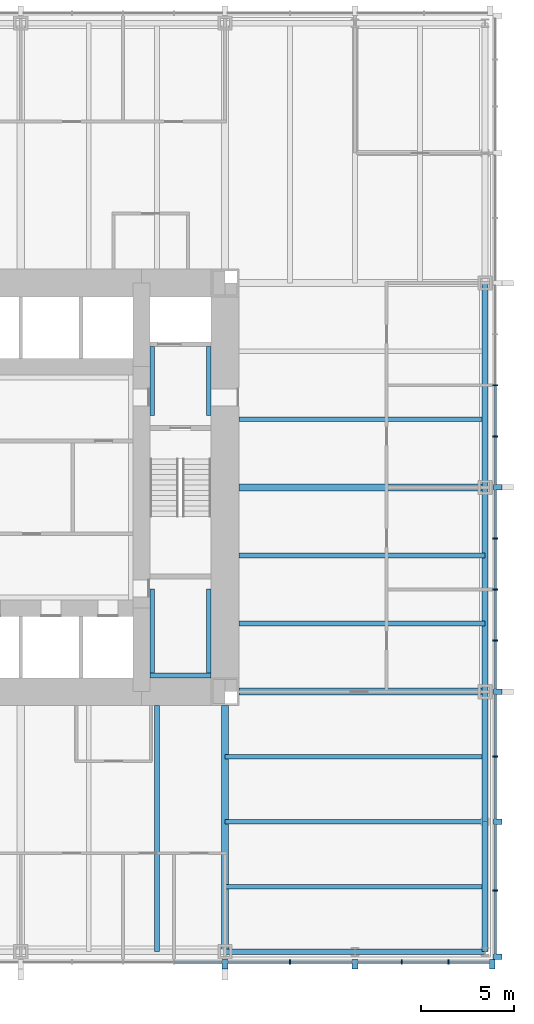
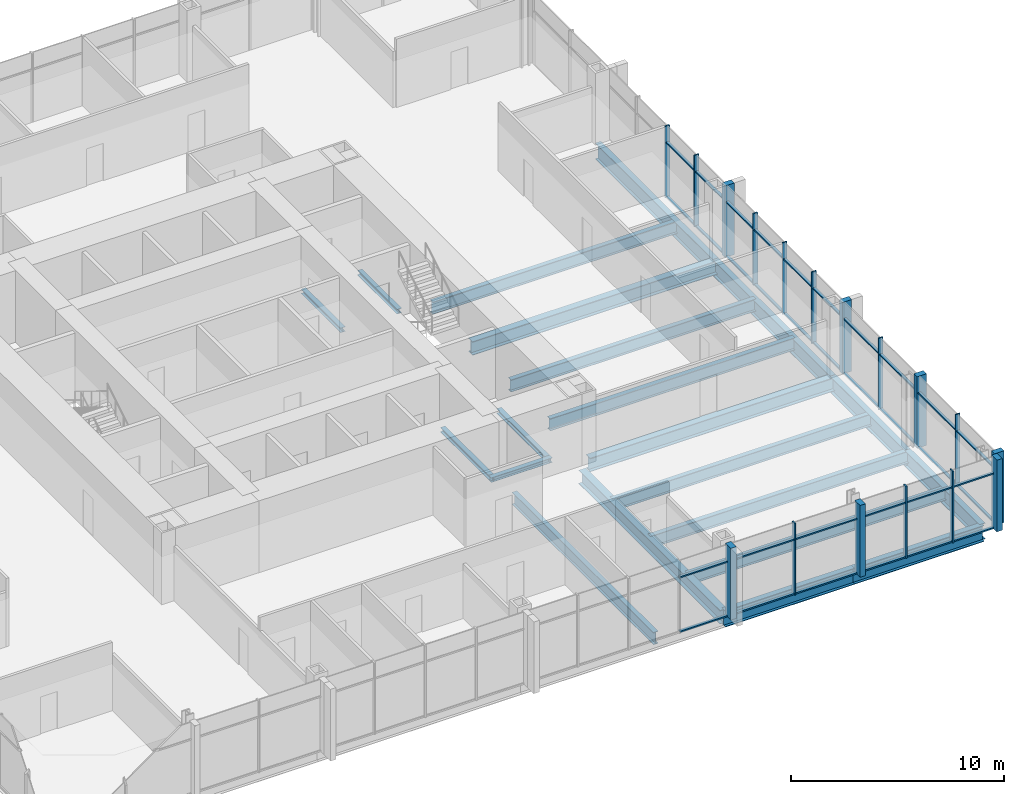
# One storey, part 4 of 12: 49 members, 21 beams, 2 elements without a shape of their own.
"""IFC4 building model written with IfcOpenShell, lengths in metres."""

from ifc_helpers import new_model, si_unit, direction, frame, origin, origin_2d, place, context, subcontext, project, spatial, rectangle, i_section, extrude, material, material_profile, profile_set, type_object, element, aggregate, save


model = new_model("IFC4")

# Units and contexts
model_context = context("Model", 3, precision=1e-05, world=origin(), true_north=direction((0.0, 1.0)))
body_context = subcontext(model_context, "Body", "Model", "MODEL_VIEW")
ifc_project = project(units=[si_unit("LENGTHUNIT", "METRE"), si_unit("AREAUNIT", "SQUARE_METRE"), si_unit("VOLUMEUNIT", "CUBIC_METRE"), si_unit("PLANEANGLEUNIT", "RADIAN"), si_unit("MASSUNIT", "GRAM", prefix="KILO")], contexts=[model_context])

# Site, building, storey
site_placement = place(None, origin())
site = spatial("IfcSite", under=ifc_project, at=site_placement, CompositionType="ELEMENT")
building_placement = place(site_placement, origin())
building = spatial("IfcBuilding", under=site, at=building_placement, Name="Trevanion Tower", CompositionType="ELEMENT")
storey_placement = place(building_placement, frame((0.0, 0.0, 73.39990234375)))
storey = spatial("IfcBuildingStorey", under=building, at=storey_placement, Name="L17", CompositionType="ELEMENT", Elevation=73.39990234375)

# Beams
ifc_material_1 = material(Name="Steel ASTM A992 Grade 50", Category="steel")
ifc_material_profile_1 = material_profile(ifc_material_1, i_section(OverallWidth=0.25390625, OverallDepth=0.700927734375, WebThickness=0.015380859375, FlangeThickness=0.02783203125, at=origin_2d()), Name="W27X129")
ifc_profile_set_1 = profile_set([ifc_material_profile_1], Name="Steel ASTM A992 Grade 50")
beam_type_1 = type_object("IfcBeamType", Name="B3 W27X129", PredefinedType="BEAM", material=ifc_profile_set_1)
for number, where, z_axis, x_axis, name in (
    (1, (11.75, -7.333251953125, -0.540283203125), (1.0, 0.0, 0.0), (0.0, 1.0, 0.0), "B3 L17"),
    (2, (11.75, -3.666748046875, -0.540283203125), (1.0, 0.0, 0.0), (0.0, 1.0, 0.0), "B3 L17"),
    (3, (11.75, 3.666748046875, -0.540283203125), (1.0, 0.0, 0.0), (0.0, 1.0, 0.0), "B3 L17"),
    (4, (7.333251953125, -11.75, -0.540283203125), (0.0, -1.0, 0.0), (1.0, 0.0, 0.0), "B3 L17"),
):
    element("IfcBeam", number, at=place(storey_placement, frame(where, z_axis=z_axis, x_axis=x_axis)), inside=storey, type_object=beam_type_1, Name=name, PredefinedType="BEAM", context=body_context, shape_type="SweptSolid", body=[
        extrude(i_section(OverallWidth=0.25390625, OverallDepth=0.700927734375, WebThickness=0.015380859375, FlangeThickness=0.02783203125, at=origin_2d()), origin(), (0.0, 0.0, 1.0), 13.25),
    ])
ifc_material_2 = material(Name="Steel ASTM A992 Grade 50", Category="steel")
ifc_material_profile_2 = material_profile(ifc_material_2, i_section(OverallWidth=0.256591796875, OverallDepth=0.693359375, WebThickness=0.014404296875, FlangeThickness=0.023681640625, at=origin_2d()), Name="W27X114")
ifc_profile_set_2 = profile_set([ifc_material_profile_2], Name="Steel ASTM A992 Grade 50")
beam_type_2 = type_object("IfcBeamType", Name="B4 W27X114", PredefinedType="BEAM", material=ifc_profile_set_2)
for number, where, z_axis, x_axis, name in (
    (5, (11.0, -14.5, -0.53662109375), (1.0, 0.0, 0.0), (0.0, 1.0, 0.0), "B4 L17"),
    (6, (11.0, -18.0, -0.53662109375), (1.0, 0.0, 0.0), (0.0, 1.0, 0.0), "B4 L17"),
    (7, (11.0, -21.5, -0.53662109375), (1.0, 0.0, 0.0), (0.0, 1.0, 0.0), "B4 L17"),
):
    element("IfcBeam", number, at=place(storey_placement, frame(where, z_axis=z_axis, x_axis=x_axis)), inside=storey, type_object=beam_type_2, Name=name, PredefinedType="BEAM", context=body_context, shape_type="SweptSolid", body=[
        extrude(i_section(OverallWidth=0.256591796875, OverallDepth=0.693359375, WebThickness=0.014404296875, FlangeThickness=0.023681640625, at=origin_2d()), origin(), (0.0, 0.0, 1.0), 14.0),
    ])

# Curtain wall, members
ifc_material_3 = material(Name="Aluminium and glass", Category="aluminium")
curtain_wall_type = type_object("IfcCurtainWallType", Name="CW1 curtain wall", PredefinedType="USERDEFINED", material=ifc_material_3)
curtain_wall_1_placement = place(storey_placement, origin())
curtain_wall_1 = element("IfcCurtainWall", 8, at=curtain_wall_1_placement, inside=storey, type_object=curtain_wall_type, Name="CW1 L17 0", ObjectType="UNITISED CURTAIN WALL", PredefinedType="USERDEFINED")
ifc_material_4 = material(Name="Aluminium extrusion, anodised bronze", Category="aluminium")
ifc_material_profile_3 = material_profile(ifc_material_4, rectangle(XDim=0.074951171875, YDim=0.25, at=origin_2d()), Name="CW1 mullion")
ifc_profile_set_3 = profile_set([ifc_material_profile_3], Name="Aluminium extrusion, anodised bronze")
member_type_1 = type_object("IfcMemberType", Name="CW1 mullion", PredefinedType="MULLION", material=ifc_profile_set_3)
member_1_placement = place(storey_placement, frame((25.550048828125, -21.7099609375, -0.18994140625), z_axis=(0.0, 0.0, 1.0), x_axis=(0.0, 1.0, 0.0)))
member_1 = element("IfcMember", 9, at=member_1_placement, type_object=member_type_1, Name="CW1 mullion 2", PredefinedType="MULLION", context=body_context, shape_type="SweptSolid", body=[
    extrude(rectangle(XDim=0.074951171875, YDim=0.25, at=origin_2d()), origin(), (0.0, 0.0, 1.0), 4.10009765625),
])
member_2_placement = place(storey_placement, frame((25.550048828125, -14.5, -0.18994140625), z_axis=(0.0, 0.0, 1.0), x_axis=(0.0, 1.0, 0.0)))
member_2 = element("IfcMember", 10, at=member_2_placement, type_object=member_type_1, Name="CW1 mullion 4", PredefinedType="MULLION", context=body_context, shape_type="SweptSolid", body=[
    extrude(rectangle(XDim=0.074951171875, YDim=0.25, at=origin_2d()), origin(), (0.0, 0.0, 1.0), 4.10009765625),
])
member_3_placement = place(storey_placement, frame((25.550048828125, -8.25, -0.18994140625), z_axis=(0.0, 0.0, 1.0), x_axis=(0.0, 1.0, 0.0)))
member_3 = element("IfcMember", 11, at=member_3_placement, type_object=member_type_1, Name="CW1 mullion 6", PredefinedType="MULLION", context=body_context, shape_type="SweptSolid", body=[
    extrude(rectangle(XDim=0.074951171875, YDim=0.25, at=origin_2d()), origin(), (0.0, 0.0, 1.0), 4.10009765625),
])
member_4_placement = place(storey_placement, frame((25.550048828125, -5.5, -0.18994140625), z_axis=(0.0, 0.0, 1.0), x_axis=(0.0, 1.0, 0.0)))
member_4 = element("IfcMember", 12, at=member_4_placement, type_object=member_type_1, Name="CW1 mullion 7", PredefinedType="MULLION", context=body_context, shape_type="SweptSolid", body=[
    extrude(rectangle(XDim=0.074951171875, YDim=0.25, at=origin_2d()), origin(), (0.0, 0.0, 1.0), 4.10009765625),
])
member_5_placement = place(storey_placement, frame((25.550048828125, -2.75, -0.18994140625), z_axis=(0.0, 0.0, 1.0), x_axis=(0.0, 1.0, 0.0)))
member_5 = element("IfcMember", 13, at=member_5_placement, type_object=member_type_1, Name="CW1 mullion 8", PredefinedType="MULLION", context=body_context, shape_type="SweptSolid", body=[
    extrude(rectangle(XDim=0.074951171875, YDim=0.25, at=origin_2d()), origin(), (0.0, 0.0, 1.0), 4.10009765625),
])
member_6_placement = place(storey_placement, frame((25.550048828125, 2.75, -0.18994140625), z_axis=(0.0, 0.0, 1.0), x_axis=(0.0, 1.0, 0.0)))
member_6 = element("IfcMember", 14, at=member_6_placement, type_object=member_type_1, Name="CW1 mullion 10", PredefinedType="MULLION", context=body_context, shape_type="SweptSolid", body=[
    extrude(rectangle(XDim=0.074951171875, YDim=0.25, at=origin_2d()), origin(), (0.0, 0.0, 1.0), 4.10009765625),
])
member_7_placement = place(storey_placement, frame((25.550048828125, 5.5, -0.18994140625), z_axis=(0.0, 0.0, 1.0), x_axis=(0.0, 1.0, 0.0)))
member_7 = element("IfcMember", 15, at=member_7_placement, type_object=member_type_1, Name="CW1 mullion 11", PredefinedType="MULLION", context=body_context, shape_type="SweptSolid", body=[
    extrude(rectangle(XDim=0.074951171875, YDim=0.25, at=origin_2d()), origin(), (0.0, 0.0, 1.0), 4.10009765625),
])

curtain_wall_2_placement = place(storey_placement, origin())
curtain_wall_2 = element("IfcCurtainWall", 16, at=curtain_wall_2_placement, inside=storey, type_object=curtain_wall_type, Name="CW1 L17 3", ObjectType="UNITISED CURTAIN WALL", PredefinedType="USERDEFINED")
member_8_placement = place(storey_placement, frame((14.5, -25.550048828125, -0.18994140625), z_axis=(0.0, 0.0, 1.0), x_axis=(1.0, 0.0, 0.0)))
member_8 = element("IfcMember", 17, at=member_8_placement, type_object=member_type_1, Name="CW1 mullion 14", PredefinedType="MULLION", context=body_context, shape_type="SweptSolid", body=[
    extrude(rectangle(XDim=0.074951171875, YDim=0.25, at=origin_2d()), origin(), (0.0, 0.0, 1.0), 4.10009765625),
])
member_9_placement = place(storey_placement, frame((20.5166015625, -25.550048828125, -0.18994140625), z_axis=(0.0, 0.0, 1.0), x_axis=(1.0, 0.0, 0.0)))
member_9 = element("IfcMember", 18, at=member_9_placement, type_object=member_type_1, Name="CW1 mullion 16", PredefinedType="MULLION", context=body_context, shape_type="SweptSolid", body=[
    extrude(rectangle(XDim=0.074951171875, YDim=0.25, at=origin_2d()), origin(), (0.0, 0.0, 1.0), 4.10009765625),
])
member_10_placement = place(storey_placement, frame((23.033203125, -25.550048828125, -0.18994140625), z_axis=(0.0, 0.0, 1.0), x_axis=(1.0, 0.0, 0.0)))
member_10 = element("IfcMember", 19, at=member_10_placement, type_object=member_type_1, Name="CW1 mullion 17", PredefinedType="MULLION", context=body_context, shape_type="SweptSolid", body=[
    extrude(rectangle(XDim=0.074951171875, YDim=0.25, at=origin_2d()), origin(), (0.0, 0.0, 1.0), 4.10009765625),
])

# Member
ifc_material_5 = material(Name="Aluminium extrusion, anodised bronze", Category="aluminium")
ifc_material_profile_4 = material_profile(ifc_material_5, rectangle(XDim=0.300048828125, YDim=0.5, at=origin_2d()), Name="CW1 pier mullion")
ifc_profile_set_4 = profile_set([ifc_material_profile_4], Name="Aluminium extrusion, anodised bronze")
member_type_2 = type_object("IfcMemberType", Name="CW1 pier mullion", PredefinedType="MULLION", material=ifc_profile_set_4)
member_11_placement = place(storey_placement, frame((25.675048828125, -25.27001953125, -0.18994140625), z_axis=(0.0, 0.0, 1.0), x_axis=(0.0, 1.0, 0.0)))
member_11 = element("IfcMember", 20, at=member_11_placement, type_object=member_type_2, Name="CW1 pier mullion 1", PredefinedType="MULLION", context=body_context, shape_type="SweptSolid", body=[
    extrude(rectangle(XDim=0.300048828125, YDim=0.5, at=origin_2d()), origin(), (0.0, 0.0, 1.0), 4.10009765625),
])

member_12_placement = place(storey_placement, frame((25.675048828125, -18.0, -0.18994140625), z_axis=(0.0, 0.0, 1.0), x_axis=(0.0, 1.0, 0.0)))
member_12 = element("IfcMember", 21, at=member_12_placement, type_object=member_type_2, Name="CW1 pier mullion 3", PredefinedType="MULLION", context=body_context, shape_type="SweptSolid", body=[
    extrude(rectangle(XDim=0.300048828125, YDim=0.5, at=origin_2d()), origin(), (0.0, 0.0, 1.0), 4.10009765625),
])

member_13_placement = place(storey_placement, frame((25.675048828125, -11.0, -0.18994140625), z_axis=(0.0, 0.0, 1.0), x_axis=(0.0, 1.0, 0.0)))
member_13 = element("IfcMember", 22, at=member_13_placement, type_object=member_type_2, Name="CW1 pier mullion 5", PredefinedType="MULLION", context=body_context, shape_type="SweptSolid", body=[
    extrude(rectangle(XDim=0.300048828125, YDim=0.5, at=origin_2d()), origin(), (0.0, 0.0, 1.0), 4.10009765625),
])

member_14_placement = place(storey_placement, frame((25.675048828125, 0.0, -0.18994140625), z_axis=(0.0, 0.0, 1.0), x_axis=(0.0, 1.0, 0.0)))
member_14 = element("IfcMember", 23, at=member_14_placement, type_object=member_type_2, Name="CW1 pier mullion 9", PredefinedType="MULLION", context=body_context, shape_type="SweptSolid", body=[
    extrude(rectangle(XDim=0.300048828125, YDim=0.5, at=origin_2d()), origin(), (0.0, 0.0, 1.0), 4.10009765625),
])

member_15_placement = place(storey_placement, frame((11.0, -25.675048828125, -0.18994140625), z_axis=(0.0, 0.0, 1.0), x_axis=(1.0, 0.0, 0.0)))
member_15 = element("IfcMember", 24, at=member_15_placement, type_object=member_type_2, Name="CW1 pier mullion 13", PredefinedType="MULLION", context=body_context, shape_type="SweptSolid", body=[
    extrude(rectangle(XDim=0.300048828125, YDim=0.5, at=origin_2d()), origin(), (0.0, 0.0, 1.0), 4.10009765625),
])

member_16_placement = place(storey_placement, frame((18.0, -25.675048828125, -0.18994140625), z_axis=(0.0, 0.0, 1.0), x_axis=(1.0, 0.0, 0.0)))
member_16 = element("IfcMember", 25, at=member_16_placement, type_object=member_type_2, Name="CW1 pier mullion 15", PredefinedType="MULLION", context=body_context, shape_type="SweptSolid", body=[
    extrude(rectangle(XDim=0.300048828125, YDim=0.5, at=origin_2d()), origin(), (0.0, 0.0, 1.0), 4.10009765625),
])

member_17_placement = place(storey_placement, frame((25.39990234375, -25.675048828125, -0.18994140625), z_axis=(0.0, 0.0, 1.0), x_axis=(1.0, 0.0, 0.0)))
member_17 = element("IfcMember", 26, at=member_17_placement, type_object=member_type_2, Name="CW1 pier mullion 18", PredefinedType="MULLION", context=body_context, shape_type="SweptSolid", body=[
    extrude(rectangle(XDim=0.300048828125, YDim=0.5, at=origin_2d()), origin(), (0.0, 0.0, 1.0), 4.10009765625),
])

ifc_material_6 = material(Name="Aluminium extrusion, anodised bronze", Category="aluminium")
ifc_material_profile_5 = material_profile(ifc_material_6, rectangle(XDim=0.14990234375, YDim=0.074951171875, at=origin_2d()), Name="CW1 transom")
ifc_profile_set_5 = profile_set([ifc_material_profile_5], Name="Aluminium extrusion, anodised bronze")
member_type_3 = type_object("IfcMemberType", Name="CW1 transom", PredefinedType="USERDEFINED", material=ifc_profile_set_5)
member_18_placement = place(storey_placement, frame((25.550048828125, -25.1201171875, -0.15234375), z_axis=(0.0, 1.0, 0.0), x_axis=(-1.0, 0.0, 0.0)))
member_18 = element("IfcMember", 27, at=member_18_placement, type_object=member_type_3, Name="CW1 transom 1.1", ObjectType="TRANSOM", PredefinedType="USERDEFINED", context=body_context, shape_type="SweptSolid", body=[
    extrude(rectangle(XDim=0.14990234375, YDim=0.074951171875, at=origin_2d()), origin(), (0.0, 0.0, 1.0), 3.37255859375),
])

member_19_placement = place(storey_placement, frame((25.550048828125, -25.1201171875, 2.960205078125), z_axis=(0.0, 1.0, 0.0), x_axis=(-1.0, 0.0, 0.0)))
member_19 = element("IfcMember", 28, at=member_19_placement, type_object=member_type_3, Name="CW1 transom 1.2", ObjectType="TRANSOM", PredefinedType="USERDEFINED", context=body_context, shape_type="SweptSolid", body=[
    extrude(rectangle(XDim=0.14990234375, YDim=0.074951171875, at=origin_2d()), origin(), (0.0, 0.0, 1.0), 3.37255859375),
])

member_20_placement = place(storey_placement, frame((25.550048828125, -21.672607421875, -0.15234375), z_axis=(0.0, 1.0, 0.0), x_axis=(-1.0, 0.0, 0.0)))
member_20 = element("IfcMember", 29, at=member_20_placement, type_object=member_type_3, Name="CW1 transom 2.1", ObjectType="TRANSOM", PredefinedType="USERDEFINED", context=body_context, shape_type="SweptSolid", body=[
    extrude(rectangle(XDim=0.14990234375, YDim=0.074951171875, at=origin_2d()), origin(), (0.0, 0.0, 1.0), 3.522705078125),
])

member_21_placement = place(storey_placement, frame((25.550048828125, -21.672607421875, 2.960205078125), z_axis=(0.0, 1.0, 0.0), x_axis=(-1.0, 0.0, 0.0)))
member_21 = element("IfcMember", 30, at=member_21_placement, type_object=member_type_3, Name="CW1 transom 2.2", ObjectType="TRANSOM", PredefinedType="USERDEFINED", context=body_context, shape_type="SweptSolid", body=[
    extrude(rectangle(XDim=0.14990234375, YDim=0.074951171875, at=origin_2d()), origin(), (0.0, 0.0, 1.0), 3.522705078125),
])

member_22_placement = place(storey_placement, frame((25.550048828125, -17.85009765625, -0.15234375), z_axis=(0.0, 1.0, 0.0), x_axis=(-1.0, 0.0, 0.0)))
member_22 = element("IfcMember", 31, at=member_22_placement, type_object=member_type_3, Name="CW1 transom 3.1", ObjectType="TRANSOM", PredefinedType="USERDEFINED", context=body_context, shape_type="SweptSolid", body=[
    extrude(rectangle(XDim=0.14990234375, YDim=0.074951171875, at=origin_2d()), origin(), (0.0, 0.0, 1.0), 3.3125),
])

member_23_placement = place(storey_placement, frame((25.550048828125, -17.85009765625, 2.960205078125), z_axis=(0.0, 1.0, 0.0), x_axis=(-1.0, 0.0, 0.0)))
member_23 = element("IfcMember", 32, at=member_23_placement, type_object=member_type_3, Name="CW1 transom 3.2", ObjectType="TRANSOM", PredefinedType="USERDEFINED", context=body_context, shape_type="SweptSolid", body=[
    extrude(rectangle(XDim=0.14990234375, YDim=0.074951171875, at=origin_2d()), origin(), (0.0, 0.0, 1.0), 3.3125),
])

member_24_placement = place(storey_placement, frame((25.550048828125, -14.46240234375, -0.15234375), z_axis=(0.0, 1.0, 0.0), x_axis=(-1.0, 0.0, 0.0)))
member_24 = element("IfcMember", 33, at=member_24_placement, type_object=member_type_3, Name="CW1 transom 4.1", ObjectType="TRANSOM", PredefinedType="USERDEFINED", context=body_context, shape_type="SweptSolid", body=[
    extrude(rectangle(XDim=0.14990234375, YDim=0.074951171875, at=origin_2d()), origin(), (0.0, 0.0, 1.0), 3.3125),
])

member_25_placement = place(storey_placement, frame((25.550048828125, -14.46240234375, 2.960205078125), z_axis=(0.0, 1.0, 0.0), x_axis=(-1.0, 0.0, 0.0)))
member_25 = element("IfcMember", 34, at=member_25_placement, type_object=member_type_3, Name="CW1 transom 4.2", ObjectType="TRANSOM", PredefinedType="USERDEFINED", context=body_context, shape_type="SweptSolid", body=[
    extrude(rectangle(XDim=0.14990234375, YDim=0.074951171875, at=origin_2d()), origin(), (0.0, 0.0, 1.0), 3.3125),
])

member_26_placement = place(storey_placement, frame((25.550048828125, -10.85009765625, -0.15234375), z_axis=(0.0, 1.0, 0.0), x_axis=(-1.0, 0.0, 0.0)))
member_26 = element("IfcMember", 35, at=member_26_placement, type_object=member_type_3, Name="CW1 transom 5.1", ObjectType="TRANSOM", PredefinedType="USERDEFINED", context=body_context, shape_type="SweptSolid", body=[
    extrude(rectangle(XDim=0.14990234375, YDim=0.074951171875, at=origin_2d()), origin(), (0.0, 0.0, 1.0), 2.5625),
])

member_27_placement = place(storey_placement, frame((25.550048828125, -10.85009765625, 2.960205078125), z_axis=(0.0, 1.0, 0.0), x_axis=(-1.0, 0.0, 0.0)))
member_27 = element("IfcMember", 36, at=member_27_placement, type_object=member_type_3, Name="CW1 transom 5.2", ObjectType="TRANSOM", PredefinedType="USERDEFINED", context=body_context, shape_type="SweptSolid", body=[
    extrude(rectangle(XDim=0.14990234375, YDim=0.074951171875, at=origin_2d()), origin(), (0.0, 0.0, 1.0), 2.5625),
])

member_28_placement = place(storey_placement, frame((25.550048828125, -8.21240234375, -0.15234375), z_axis=(0.0, 1.0, 0.0), x_axis=(-1.0, 0.0, 0.0)))
member_28 = element("IfcMember", 37, at=member_28_placement, type_object=member_type_3, Name="CW1 transom 6.1", ObjectType="TRANSOM", PredefinedType="USERDEFINED", context=body_context, shape_type="SweptSolid", body=[
    extrude(rectangle(XDim=0.14990234375, YDim=0.074951171875, at=origin_2d()), origin(), (0.0, 0.0, 1.0), 2.6748046875),
])

member_29_placement = place(storey_placement, frame((25.550048828125, -8.21240234375, 2.960205078125), z_axis=(0.0, 1.0, 0.0), x_axis=(-1.0, 0.0, 0.0)))
member_29 = element("IfcMember", 38, at=member_29_placement, type_object=member_type_3, Name="CW1 transom 6.2", ObjectType="TRANSOM", PredefinedType="USERDEFINED", context=body_context, shape_type="SweptSolid", body=[
    extrude(rectangle(XDim=0.14990234375, YDim=0.074951171875, at=origin_2d()), origin(), (0.0, 0.0, 1.0), 2.6748046875),
])

member_30_placement = place(storey_placement, frame((25.550048828125, -5.46240234375, -0.15234375), z_axis=(0.0, 1.0, 0.0), x_axis=(-1.0, 0.0, 0.0)))
member_30 = element("IfcMember", 39, at=member_30_placement, type_object=member_type_3, Name="CW1 transom 7.1", ObjectType="TRANSOM", PredefinedType="USERDEFINED", context=body_context, shape_type="SweptSolid", body=[
    extrude(rectangle(XDim=0.14990234375, YDim=0.074951171875, at=origin_2d()), origin(), (0.0, 0.0, 1.0), 2.6748046875),
])

member_31_placement = place(storey_placement, frame((25.550048828125, -5.46240234375, 2.960205078125), z_axis=(0.0, 1.0, 0.0), x_axis=(-1.0, 0.0, 0.0)))
member_31 = element("IfcMember", 40, at=member_31_placement, type_object=member_type_3, Name="CW1 transom 7.2", ObjectType="TRANSOM", PredefinedType="USERDEFINED", context=body_context, shape_type="SweptSolid", body=[
    extrude(rectangle(XDim=0.14990234375, YDim=0.074951171875, at=origin_2d()), origin(), (0.0, 0.0, 1.0), 2.6748046875),
])

member_32_placement = place(storey_placement, frame((25.550048828125, -2.71240234375, -0.15234375), z_axis=(0.0, 1.0, 0.0), x_axis=(-1.0, 0.0, 0.0)))
member_32 = element("IfcMember", 41, at=member_32_placement, type_object=member_type_3, Name="CW1 transom 8.1", ObjectType="TRANSOM", PredefinedType="USERDEFINED", context=body_context, shape_type="SweptSolid", body=[
    extrude(rectangle(XDim=0.14990234375, YDim=0.074951171875, at=origin_2d()), origin(), (0.0, 0.0, 1.0), 2.5625),
])

member_33_placement = place(storey_placement, frame((25.550048828125, -2.71240234375, 2.960205078125), z_axis=(0.0, 1.0, 0.0), x_axis=(-1.0, 0.0, 0.0)))
member_33 = element("IfcMember", 42, at=member_33_placement, type_object=member_type_3, Name="CW1 transom 8.2", ObjectType="TRANSOM", PredefinedType="USERDEFINED", context=body_context, shape_type="SweptSolid", body=[
    extrude(rectangle(XDim=0.14990234375, YDim=0.074951171875, at=origin_2d()), origin(), (0.0, 0.0, 1.0), 2.5625),
])

member_34_placement = place(storey_placement, frame((25.550048828125, 0.14990234375, -0.15234375), z_axis=(0.0, 1.0, 0.0), x_axis=(-1.0, 0.0, 0.0)))
member_34 = element("IfcMember", 43, at=member_34_placement, type_object=member_type_3, Name="CW1 transom 9.1", ObjectType="TRANSOM", PredefinedType="USERDEFINED", context=body_context, shape_type="SweptSolid", body=[
    extrude(rectangle(XDim=0.14990234375, YDim=0.074951171875, at=origin_2d()), origin(), (0.0, 0.0, 1.0), 2.5625),
])

member_35_placement = place(storey_placement, frame((25.550048828125, 0.14990234375, 2.960205078125), z_axis=(0.0, 1.0, 0.0), x_axis=(-1.0, 0.0, 0.0)))
member_35 = element("IfcMember", 44, at=member_35_placement, type_object=member_type_3, Name="CW1 transom 9.2", ObjectType="TRANSOM", PredefinedType="USERDEFINED", context=body_context, shape_type="SweptSolid", body=[
    extrude(rectangle(XDim=0.14990234375, YDim=0.074951171875, at=origin_2d()), origin(), (0.0, 0.0, 1.0), 2.5625),
])

member_36_placement = place(storey_placement, frame((25.550048828125, 2.78759765625, -0.15234375), z_axis=(0.0, 1.0, 0.0), x_axis=(-1.0, 0.0, 0.0)))
member_36 = element("IfcMember", 45, at=member_36_placement, type_object=member_type_3, Name="CW1 transom 10.1", ObjectType="TRANSOM", PredefinedType="USERDEFINED", context=body_context, shape_type="SweptSolid", body=[
    extrude(rectangle(XDim=0.14990234375, YDim=0.074951171875, at=origin_2d()), origin(), (0.0, 0.0, 1.0), 2.6748046875),
])

member_37_placement = place(storey_placement, frame((25.550048828125, 2.78759765625, 2.960205078125), z_axis=(0.0, 1.0, 0.0), x_axis=(-1.0, 0.0, 0.0)))
member_37 = element("IfcMember", 46, at=member_37_placement, type_object=member_type_3, Name="CW1 transom 10.2", ObjectType="TRANSOM", PredefinedType="USERDEFINED", context=body_context, shape_type="SweptSolid", body=[
    extrude(rectangle(XDim=0.14990234375, YDim=0.074951171875, at=origin_2d()), origin(), (0.0, 0.0, 1.0), 2.6748046875),
])

aggregate(curtain_wall_1, [member_11, member_1, member_12, member_2, member_13, member_3, member_4, member_5, member_14, member_6, member_7, member_18, member_19, member_20, member_21, member_22, member_23, member_24, member_25, member_26, member_27, member_28, member_29, member_30, member_31, member_32, member_33, member_34, member_35, member_36, member_37])

member_38_placement = place(storey_placement, frame((8.28759765625, -25.550048828125, -0.15234375), z_axis=(1.0, 0.0, 0.0), x_axis=(0.0, 1.0, 0.0)))
member_38 = element("IfcMember", 47, at=member_38_placement, type_object=member_type_3, Name="CW1 transom 12.1", ObjectType="TRANSOM", PredefinedType="USERDEFINED", context=body_context, shape_type="SweptSolid", body=[
    extrude(rectangle(XDim=0.14990234375, YDim=0.074951171875, at=origin_2d()), origin(), (0.0, 0.0, 1.0), 2.5625),
])

member_39_placement = place(storey_placement, frame((8.28759765625, -25.550048828125, 2.960205078125), z_axis=(1.0, 0.0, 0.0), x_axis=(0.0, 1.0, 0.0)))
member_39 = element("IfcMember", 48, at=member_39_placement, type_object=member_type_3, Name="CW1 transom 12.2", ObjectType="TRANSOM", PredefinedType="USERDEFINED", context=body_context, shape_type="SweptSolid", body=[
    extrude(rectangle(XDim=0.14990234375, YDim=0.074951171875, at=origin_2d()), origin(), (0.0, 0.0, 1.0), 2.5625),
])

member_40_placement = place(storey_placement, frame((11.14990234375, -25.550048828125, -0.15234375), z_axis=(1.0, 0.0, 0.0), x_axis=(0.0, 1.0, 0.0)))
member_40 = element("IfcMember", 49, at=member_40_placement, type_object=member_type_3, Name="CW1 transom 13.1", ObjectType="TRANSOM", PredefinedType="USERDEFINED", context=body_context, shape_type="SweptSolid", body=[
    extrude(rectangle(XDim=0.14990234375, YDim=0.074951171875, at=origin_2d()), origin(), (0.0, 0.0, 1.0), 3.3125),
])

member_41_placement = place(storey_placement, frame((11.14990234375, -25.550048828125, 2.960205078125), z_axis=(1.0, 0.0, 0.0), x_axis=(0.0, 1.0, 0.0)))
member_41 = element("IfcMember", 50, at=member_41_placement, type_object=member_type_3, Name="CW1 transom 13.2", ObjectType="TRANSOM", PredefinedType="USERDEFINED", context=body_context, shape_type="SweptSolid", body=[
    extrude(rectangle(XDim=0.14990234375, YDim=0.074951171875, at=origin_2d()), origin(), (0.0, 0.0, 1.0), 3.3125),
])

member_42_placement = place(storey_placement, frame((14.53759765625, -25.550048828125, -0.15234375), z_axis=(1.0, 0.0, 0.0), x_axis=(0.0, 1.0, 0.0)))
member_42 = element("IfcMember", 51, at=member_42_placement, type_object=member_type_3, Name="CW1 transom 14.1", ObjectType="TRANSOM", PredefinedType="USERDEFINED", context=body_context, shape_type="SweptSolid", body=[
    extrude(rectangle(XDim=0.14990234375, YDim=0.074951171875, at=origin_2d()), origin(), (0.0, 0.0, 1.0), 3.3125),
])

member_43_placement = place(storey_placement, frame((14.53759765625, -25.550048828125, 2.960205078125), z_axis=(1.0, 0.0, 0.0), x_axis=(0.0, 1.0, 0.0)))
member_43 = element("IfcMember", 52, at=member_43_placement, type_object=member_type_3, Name="CW1 transom 14.2", ObjectType="TRANSOM", PredefinedType="USERDEFINED", context=body_context, shape_type="SweptSolid", body=[
    extrude(rectangle(XDim=0.14990234375, YDim=0.074951171875, at=origin_2d()), origin(), (0.0, 0.0, 1.0), 3.3125),
])

member_44_placement = place(storey_placement, frame((18.14990234375, -25.550048828125, -0.15234375), z_axis=(1.0, 0.0, 0.0), x_axis=(0.0, 1.0, 0.0)))
member_44 = element("IfcMember", 53, at=member_44_placement, type_object=member_type_3, Name="CW1 transom 15.1", ObjectType="TRANSOM", PredefinedType="USERDEFINED", context=body_context, shape_type="SweptSolid", body=[
    extrude(rectangle(XDim=0.14990234375, YDim=0.074951171875, at=origin_2d()), origin(), (0.0, 0.0, 1.0), 2.329345703125),
])

member_45_placement = place(storey_placement, frame((18.14990234375, -25.550048828125, 2.960205078125), z_axis=(1.0, 0.0, 0.0), x_axis=(0.0, 1.0, 0.0)))
member_45 = element("IfcMember", 54, at=member_45_placement, type_object=member_type_3, Name="CW1 transom 15.2", ObjectType="TRANSOM", PredefinedType="USERDEFINED", context=body_context, shape_type="SweptSolid", body=[
    extrude(rectangle(XDim=0.14990234375, YDim=0.074951171875, at=origin_2d()), origin(), (0.0, 0.0, 1.0), 2.329345703125),
])

member_46_placement = place(storey_placement, frame((20.55419921875, -25.550048828125, -0.15234375), z_axis=(1.0, 0.0, 0.0), x_axis=(0.0, 1.0, 0.0)))
member_46 = element("IfcMember", 55, at=member_46_placement, type_object=member_type_3, Name="CW1 transom 16.1", ObjectType="TRANSOM", PredefinedType="USERDEFINED", context=body_context, shape_type="SweptSolid", body=[
    extrude(rectangle(XDim=0.14990234375, YDim=0.074951171875, at=origin_2d()), origin(), (0.0, 0.0, 1.0), 2.441650390625),
])

member_47_placement = place(storey_placement, frame((20.55419921875, -25.550048828125, 2.960205078125), z_axis=(1.0, 0.0, 0.0), x_axis=(0.0, 1.0, 0.0)))
member_47 = element("IfcMember", 56, at=member_47_placement, type_object=member_type_3, Name="CW1 transom 16.2", ObjectType="TRANSOM", PredefinedType="USERDEFINED", context=body_context, shape_type="SweptSolid", body=[
    extrude(rectangle(XDim=0.14990234375, YDim=0.074951171875, at=origin_2d()), origin(), (0.0, 0.0, 1.0), 2.441650390625),
])

member_48_placement = place(storey_placement, frame((23.07080078125, -25.550048828125, -0.15234375), z_axis=(1.0, 0.0, 0.0), x_axis=(0.0, 1.0, 0.0)))
member_48 = element("IfcMember", 57, at=member_48_placement, type_object=member_type_3, Name="CW1 transom 17.1", ObjectType="TRANSOM", PredefinedType="USERDEFINED", context=body_context, shape_type="SweptSolid", body=[
    extrude(rectangle(XDim=0.14990234375, YDim=0.074951171875, at=origin_2d()), origin(), (0.0, 0.0, 1.0), 2.17919921875),
])

member_49_placement = place(storey_placement, frame((23.07080078125, -25.550048828125, 2.960205078125), z_axis=(1.0, 0.0, 0.0), x_axis=(0.0, 1.0, 0.0)))
member_49 = element("IfcMember", 58, at=member_49_placement, type_object=member_type_3, Name="CW1 transom 17.2", ObjectType="TRANSOM", PredefinedType="USERDEFINED", context=body_context, shape_type="SweptSolid", body=[
    extrude(rectangle(XDim=0.14990234375, YDim=0.074951171875, at=origin_2d()), origin(), (0.0, 0.0, 1.0), 2.17919921875),
])

aggregate(curtain_wall_2, [member_15, member_8, member_16, member_9, member_10, member_17, member_38, member_39, member_40, member_41, member_42, member_43, member_44, member_45, member_46, member_47, member_48, member_49])

# Beams
ifc_material_7 = material(Name="Steel ASTM A992 Grade 50", Category="steel")
ifc_material_profile_6 = material_profile(ifc_material_7, i_section(OverallWidth=0.381103515625, OverallDepth=0.77978515625, WebThickness=0.01806640625, FlangeThickness=0.0302734375, at=origin_2d()), Name="W30X191")
ifc_profile_set_6 = profile_set([ifc_material_profile_6], Name="Steel ASTM A992 Grade 50")
beam_type_3 = type_object("IfcBeamType", Name="G2 W30X191", PredefinedType="BEAM", material=ifc_profile_set_6)
for number, where, z_axis, x_axis, name in (
    (59, (11.75, -11.0, -0.579833984375), (1.0, 0.0, 0.0), (0.0, 1.0, 0.0), "G2 L17"),
    (60, (11.75, 0.0, -0.579833984375), (1.0, 0.0, 0.0), (0.0, 1.0, 0.0), "G2 L17"),
    (61, (11.0, -11.75, -0.579833984375), (0.0, -1.0, 0.0), (1.0, 0.0, 0.0), "G2 L17"),
):
    element("IfcBeam", number, at=place(storey_placement, frame(where, z_axis=z_axis, x_axis=x_axis)), inside=storey, type_object=beam_type_3, Name=name, PredefinedType="BEAM", context=body_context, shape_type="SweptSolid", body=[
        extrude(i_section(OverallWidth=0.381103515625, OverallDepth=0.77978515625, WebThickness=0.01806640625, FlangeThickness=0.0302734375, at=origin_2d()), origin(), (0.0, 0.0, 1.0), 13.25),
    ])
ifc_material_8 = material(Name="Steel ASTM A992 Grade 50", Category="steel")
ifc_material_profile_7 = material_profile(ifc_material_8, i_section(OverallWidth=0.256591796875, OverallDepth=0.26416015625, WebThickness=0.011962890625, FlangeThickness=0.01953125, at=origin_2d()), Name="W10X68")
ifc_profile_set_7 = profile_set([ifc_material_profile_7], Name="Steel ASTM A992 Grade 50")
beam_type_4 = type_object("IfcBeamType", Name="LB1 W10X68", PredefinedType="BEAM", material=ifc_profile_set_7)
for number, where, z_axis, x_axis, name in (
    (62, (7.078369140625, 3.875, -0.33203125), (0.0, 1.0, 0.0), (-1.0, 0.0, 0.0), "LB1 L17"),
    (63, (10.12158203125, 3.875, -0.33203125), (0.0, 1.0, 0.0), (-1.0, 0.0, 0.0), "LB1 L17"),
):
    element("IfcBeam", number, at=place(storey_placement, frame(where, z_axis=z_axis, x_axis=x_axis)), inside=storey, type_object=beam_type_4, Name=name, PredefinedType="BEAM", context=body_context, shape_type="SweptSolid", body=[
        extrude(i_section(OverallWidth=0.256591796875, OverallDepth=0.26416015625, WebThickness=0.011962890625, FlangeThickness=0.01953125, at=origin_2d()), origin(), (0.0, 0.0, 1.0), 3.699951171875),
    ])
for number, where, z_axis, x_axis, name in (
    (64, (7.078369140625, -10.25, -0.33203125), (0.0, 1.0, 0.0), (-1.0, 0.0, 0.0), "LB1 L17"),
    (65, (10.12158203125, -10.25, -0.33203125), (0.0, 1.0, 0.0), (-1.0, 0.0, 0.0), "LB1 L17"),
):
    element("IfcBeam", number, at=place(storey_placement, frame(where, z_axis=z_axis, x_axis=x_axis)), inside=storey, type_object=beam_type_4, Name=name, PredefinedType="BEAM", context=body_context, shape_type="SweptSolid", body=[
        extrude(i_section(OverallWidth=0.256591796875, OverallDepth=0.26416015625, WebThickness=0.011962890625, FlangeThickness=0.01953125, at=origin_2d()), origin(), (0.0, 0.0, 1.0), 4.77490234375),
    ])
beam_placement = place(storey_placement, frame((6.949951171875, -10.12158203125, -0.33203125), z_axis=(1.0, 0.0, 0.0), x_axis=(0.0, 1.0, 0.0)))
element("IfcBeam", 66, at=beam_placement, inside=storey, type_object=beam_type_4, Name="LB1 L17", PredefinedType="BEAM", context=body_context, shape_type="SweptSolid", body=[
    extrude(i_section(OverallWidth=0.256591796875, OverallDepth=0.26416015625, WebThickness=0.011962890625, FlangeThickness=0.01953125, at=origin_2d()), origin(), (0.0, 0.0, 1.0), 3.300048828125),
])
ifc_material_9 = material(Name="Steel ASTM A992 Grade 50", Category="steel")
ifc_material_profile_8 = material_profile(ifc_material_9, i_section(OverallWidth=0.307373046875, OverallDepth=0.927001953125, WebThickness=0.01953125, FlangeThickness=0.031982421875, at=origin_2d()), Name="W36X194")
ifc_profile_set_8 = profile_set([ifc_material_profile_8], Name="Steel ASTM A992 Grade 50")
beam_type_5 = type_object("IfcBeamType", Name="SB2 W36X194", PredefinedType="SPANDREL", material=ifc_profile_set_8)
for number, where, z_axis, x_axis, name in (
    (67, (25.0, -25.0, -0.6533203125), (0.0, 1.0, 0.0), (-1.0, 0.0, 0.0), "SB2 L17"),
    (68, (25.0, -18.0, -0.6533203125), (0.0, 1.0, 0.0), (-1.0, 0.0, 0.0), "SB2 L17"),
):
    element("IfcBeam", number, at=place(storey_placement, frame(where, z_axis=z_axis, x_axis=x_axis)), inside=storey, type_object=beam_type_5, Name=name, PredefinedType="SPANDREL", context=body_context, shape_type="SweptSolid", body=[
        extrude(i_section(OverallWidth=0.307373046875, OverallDepth=0.927001953125, WebThickness=0.01953125, FlangeThickness=0.031982421875, at=origin_2d()), origin(), (0.0, 0.0, 1.0), 7.0),
    ])
for number, where, z_axis, x_axis, name in (
    (69, (25.0, -11.0, -0.6533203125), (0.0, 1.0, 0.0), (-1.0, 0.0, 0.0), "SB2 L17"),
    (70, (25.0, 0.0, -0.6533203125), (0.0, 1.0, 0.0), (-1.0, 0.0, 0.0), "SB2 L17"),
):
    element("IfcBeam", number, at=place(storey_placement, frame(where, z_axis=z_axis, x_axis=x_axis)), inside=storey, type_object=beam_type_5, Name=name, PredefinedType="SPANDREL", context=body_context, shape_type="SweptSolid", body=[
        extrude(i_section(OverallWidth=0.307373046875, OverallDepth=0.927001953125, WebThickness=0.01953125, FlangeThickness=0.031982421875, at=origin_2d()), origin(), (0.0, 0.0, 1.0), 11.0),
    ])
for number, where, z_axis, x_axis, name in (
    (71, (11.0, -25.0, -0.6533203125), (1.0, 0.0, 0.0), (0.0, 1.0, 0.0), "SB2 L17"),
    (72, (18.0, -25.0, -0.6533203125), (1.0, 0.0, 0.0), (0.0, 1.0, 0.0), "SB2 L17"),
):
    element("IfcBeam", number, at=place(storey_placement, frame(where, z_axis=z_axis, x_axis=x_axis)), inside=storey, type_object=beam_type_5, Name=name, PredefinedType="SPANDREL", context=body_context, shape_type="SweptSolid", body=[
        extrude(i_section(OverallWidth=0.307373046875, OverallDepth=0.927001953125, WebThickness=0.01953125, FlangeThickness=0.031982421875, at=origin_2d()), origin(), (0.0, 0.0, 1.0), 7.0),
    ])

save(model, "model.ifc")
